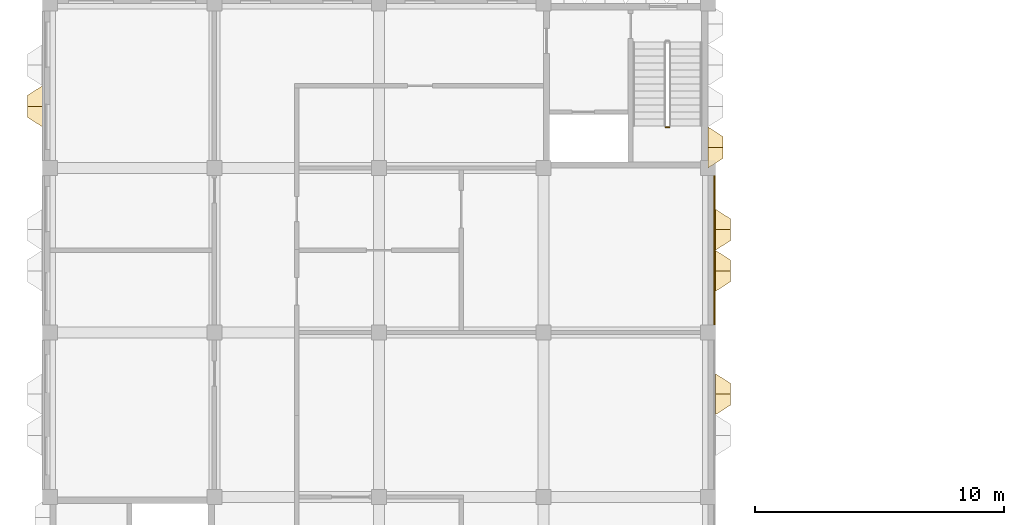
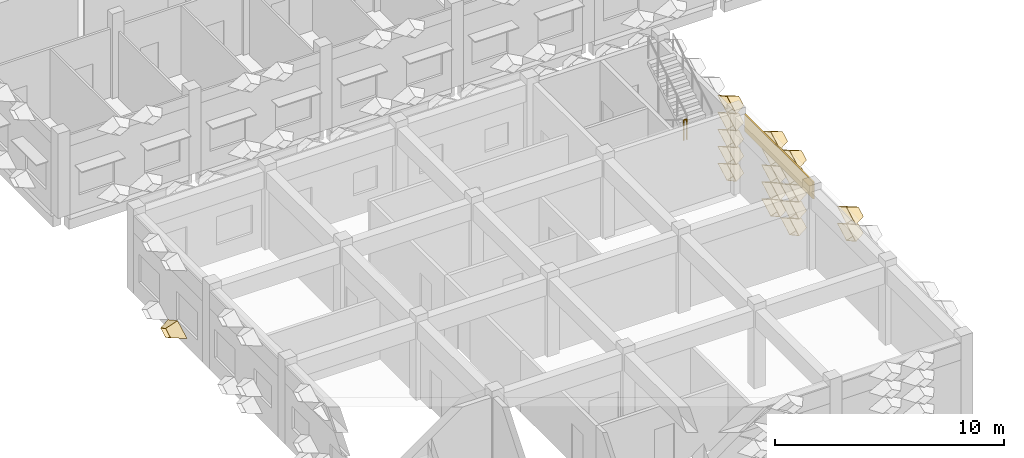
# One storey, part 67 of 87: 19 coverings, 1 railing.
"""IFC4 building model written with IfcOpenShell, lengths in metres."""

from ifc_helpers import new_model, entity, si_unit, direction, frame, frame_2d, origin, origin_2d, place, context, subcontext, project, spatial, rectangle, circle, extrude, material, layer, layer_set, type_object, element, save


model = new_model("IFC4")

# Units and contexts
model_context = context("Model", 3, precision=1e-05, world=origin(), true_north=direction((0.0, 1.0)))
body_context = subcontext(model_context, "Body", "Model", "MODEL_VIEW")
ifc_project = project(units=[si_unit("LENGTHUNIT", "METRE"), si_unit("AREAUNIT", "SQUARE_METRE"), si_unit("VOLUMEUNIT", "CUBIC_METRE"), si_unit("PLANEANGLEUNIT", "RADIAN"), si_unit("MASSUNIT", "GRAM", prefix="KILO")], contexts=[model_context])

# Site, building, storey
site_placement = place(None, origin())
site = spatial("IfcSite", under=ifc_project, at=site_placement, CompositionType="ELEMENT")
building_placement = place(site_placement, origin())
building = spatial("IfcBuilding", under=site, at=building_placement, Name="Lantern Court Research Institute", CompositionType="ELEMENT")
storey_placement = place(building_placement, frame((0.0, 0.0, 5.39990234375)))
storey = spatial("IfcBuildingStorey", under=building, at=storey_placement, Name="L01", CompositionType="ELEMENT", Elevation=5.39990234375)

# Coverings
ifc_material_1 = material(Name="Aluminium composite panel with mineral wool insulation", Category="aluminium")
ifc_layer_1 = layer(ifc_material_1, 0.074951171875)
ifc_layer_set_1 = layer_set([ifc_layer_1], Name="Aluminium composite panel with mineral wool insulation")
covering_type_1 = type_object("IfcCoveringType", Name="Edge fascia panel 75 aluminium faced", PredefinedType="CLADDING", material=ifc_layer_set_1)
covering_1_placement = place(storey_placement, frame((26.66259765625, 69.0, 3.25), z_axis=(0.0, 0.0, 1.0), x_axis=(0.0, -1.0, 0.0)))
element("IfcCovering", 1, at=covering_1_placement, inside=storey, type_object=covering_type_1, Name="Edge fascia V3E L01 03", PredefinedType="CLADDING", context=body_context, shape_type="SweptSolid", body=[
    extrude(rectangle(XDim=6.0, YDim=0.074951171875, at=frame_2d((3.0, 0.0))), origin(), (0.0, 0.0, 1.0), 0.900146484375),
])
ifc_material_2 = material(Name="Anodised aluminium", Category="aluminium")
ifc_layer_2 = layer(ifc_material_2, 0.01611328125)
ifc_layer_set_2 = layer_set([ifc_layer_2], Name="Anodised aluminium")
covering_type_2 = type_object("IfcCoveringType", Name="Fin cassette 1650 x 900 x 600 aluminium", PredefinedType="CLADDING", material=ifc_layer_set_2)
covering_2_placement = place(storey_placement, frame((26.39990234375, 70.125, 0.4501953125), z_axis=(1.0, 0.0, 0.0), x_axis=(0.0, 1.0, 0.0)))
cartesian_point_1 = entity("IfcCartesianPoint", [0.824951171875, 0.0])
cartesian_point_2 = entity("IfcCartesianPoint", [0.79150390625, 0.0])
cartesian_point_3 = entity("IfcCartesianPoint", [0.44189453125, 0.0])
cartesian_point_4 = entity("IfcCartesianPoint", [0.43359375, 0.0])
element("IfcCovering", 2, at=covering_2_placement, inside=storey, type_object=covering_type_2, Name="Fin cassette V3E-L01 1.43", PredefinedType="CLADDING", context=body_context, shape_type="SweptSolid", body=[
    entity("IfcExtrudedAreaSolidTapered", entity("IfcArbitraryProfileDefWithVoids", "AREA", None, entity("IfcPolyline", [cartesian_point_1, entity("IfcCartesianPoint", [0.0, 0.449951171875]), entity("IfcCartesianPoint", [-0.824951171875, 0.0]), entity("IfcCartesianPoint", [0.0, -0.449951171875]), cartesian_point_1]), [entity("IfcPolyline", [cartesian_point_2, entity("IfcCartesianPoint", [0.0, 0.431884765625]), entity("IfcCartesianPoint", [-0.79150390625, 0.0]), entity("IfcCartesianPoint", [0.0, -0.431884765625]), cartesian_point_2])]), entity("IfcAxis2Placement3D", entity("IfcCartesianPoint", [0.0, 0.0, 0.0])), entity("IfcDirection", [0.0, 0.0, 1.0]), 0.60009765625, entity("IfcArbitraryProfileDefWithVoids", "AREA", None, entity("IfcPolyline", [cartesian_point_3, entity("IfcCartesianPoint", [0.0, 0.240966796875]), entity("IfcCartesianPoint", [-0.44189453125, 0.0]), entity("IfcCartesianPoint", [0.0, -0.240966796875]), cartesian_point_3]), [entity("IfcPolyline", [cartesian_point_4, entity("IfcCartesianPoint", [0.0, 0.236572265625]), entity("IfcCartesianPoint", [-0.43359375, 0.0]), entity("IfcCartesianPoint", [0.0, -0.236572265625]), cartesian_point_4])])),
])
covering_3_placement = place(storey_placement, frame((26.39990234375, 70.125, 1.35009765625), z_axis=(1.0, 0.0, 0.0), x_axis=(0.0, 1.0, 0.0)))
cartesian_point_5 = entity("IfcCartesianPoint", [0.824951171875, 0.0])
cartesian_point_6 = entity("IfcCartesianPoint", [0.79150390625, 0.0])
cartesian_point_7 = entity("IfcCartesianPoint", [0.44189453125, 0.0])
cartesian_point_8 = entity("IfcCartesianPoint", [0.43359375, 0.0])
element("IfcCovering", 3, at=covering_3_placement, inside=storey, type_object=covering_type_2, Name="Fin cassette V3E-L01 2.43", PredefinedType="CLADDING", context=body_context, shape_type="SweptSolid", body=[
    entity("IfcExtrudedAreaSolidTapered", entity("IfcArbitraryProfileDefWithVoids", "AREA", None, entity("IfcPolyline", [cartesian_point_5, entity("IfcCartesianPoint", [0.0, 0.449951171875]), entity("IfcCartesianPoint", [-0.824951171875, 0.0]), entity("IfcCartesianPoint", [0.0, -0.449951171875]), cartesian_point_5]), [entity("IfcPolyline", [cartesian_point_6, entity("IfcCartesianPoint", [0.0, 0.431884765625]), entity("IfcCartesianPoint", [-0.79150390625, 0.0]), entity("IfcCartesianPoint", [0.0, -0.431884765625]), cartesian_point_6])]), entity("IfcAxis2Placement3D", entity("IfcCartesianPoint", [0.0, 0.0, 0.0])), entity("IfcDirection", [0.0, 0.0, 1.0]), 0.60009765625, entity("IfcArbitraryProfileDefWithVoids", "AREA", None, entity("IfcPolyline", [cartesian_point_7, entity("IfcCartesianPoint", [0.0, 0.240966796875]), entity("IfcCartesianPoint", [-0.44189453125, 0.0]), entity("IfcCartesianPoint", [0.0, -0.240966796875]), cartesian_point_7]), [entity("IfcPolyline", [cartesian_point_8, entity("IfcCartesianPoint", [0.0, 0.236572265625]), entity("IfcCartesianPoint", [-0.43359375, 0.0]), entity("IfcCartesianPoint", [0.0, -0.236572265625]), cartesian_point_8])])),
])
covering_4_placement = place(storey_placement, frame((26.39990234375, 70.125, 2.25), z_axis=(1.0, 0.0, 0.0), x_axis=(0.0, 1.0, 0.0)))
cartesian_point_9 = entity("IfcCartesianPoint", [0.824951171875, 0.0])
cartesian_point_10 = entity("IfcCartesianPoint", [0.79150390625, 0.0])
cartesian_point_11 = entity("IfcCartesianPoint", [0.44189453125, 0.0])
cartesian_point_12 = entity("IfcCartesianPoint", [0.43359375, 0.0])
element("IfcCovering", 4, at=covering_4_placement, inside=storey, type_object=covering_type_2, Name="Fin cassette V3E-L01 3.43", PredefinedType="CLADDING", context=body_context, shape_type="SweptSolid", body=[
    entity("IfcExtrudedAreaSolidTapered", entity("IfcArbitraryProfileDefWithVoids", "AREA", None, entity("IfcPolyline", [cartesian_point_9, entity("IfcCartesianPoint", [0.0, 0.449951171875]), entity("IfcCartesianPoint", [-0.824951171875, 0.0]), entity("IfcCartesianPoint", [0.0, -0.449951171875]), cartesian_point_9]), [entity("IfcPolyline", [cartesian_point_10, entity("IfcCartesianPoint", [0.0, 0.431884765625]), entity("IfcCartesianPoint", [-0.79150390625, 0.0]), entity("IfcCartesianPoint", [0.0, -0.431884765625]), cartesian_point_10])]), entity("IfcAxis2Placement3D", entity("IfcCartesianPoint", [0.0, 0.0, 0.0])), entity("IfcDirection", [0.0, 0.0, 1.0]), 0.60009765625, entity("IfcArbitraryProfileDefWithVoids", "AREA", None, entity("IfcPolyline", [cartesian_point_11, entity("IfcCartesianPoint", [0.0, 0.240966796875]), entity("IfcCartesianPoint", [-0.44189453125, 0.0]), entity("IfcCartesianPoint", [0.0, -0.240966796875]), cartesian_point_11]), [entity("IfcPolyline", [cartesian_point_12, entity("IfcCartesianPoint", [0.0, 0.236572265625]), entity("IfcCartesianPoint", [-0.43359375, 0.0]), entity("IfcCartesianPoint", [0.0, -0.236572265625]), cartesian_point_12])])),
])
covering_5_placement = place(storey_placement, frame((26.39990234375, 70.125, 3.150146484375), z_axis=(1.0, 0.0, 0.0), x_axis=(0.0, 1.0, 0.0)))
cartesian_point_13 = entity("IfcCartesianPoint", [0.824951171875, 0.0])
cartesian_point_14 = entity("IfcCartesianPoint", [0.79150390625, 0.0])
cartesian_point_15 = entity("IfcCartesianPoint", [0.44189453125, 0.0])
cartesian_point_16 = entity("IfcCartesianPoint", [0.43359375, 0.0])
element("IfcCovering", 5, at=covering_5_placement, inside=storey, type_object=covering_type_2, Name="Fin cassette V3E-L01 4.43", PredefinedType="CLADDING", context=body_context, shape_type="SweptSolid", body=[
    entity("IfcExtrudedAreaSolidTapered", entity("IfcArbitraryProfileDefWithVoids", "AREA", None, entity("IfcPolyline", [cartesian_point_13, entity("IfcCartesianPoint", [0.0, 0.449951171875]), entity("IfcCartesianPoint", [-0.824951171875, 0.0]), entity("IfcCartesianPoint", [0.0, -0.449951171875]), cartesian_point_13]), [entity("IfcPolyline", [cartesian_point_14, entity("IfcCartesianPoint", [0.0, 0.431884765625]), entity("IfcCartesianPoint", [-0.79150390625, 0.0]), entity("IfcCartesianPoint", [0.0, -0.431884765625]), cartesian_point_14])]), entity("IfcAxis2Placement3D", entity("IfcCartesianPoint", [0.0, 0.0, 0.0])), entity("IfcDirection", [0.0, 0.0, 1.0]), 0.60009765625, entity("IfcArbitraryProfileDefWithVoids", "AREA", None, entity("IfcPolyline", [cartesian_point_15, entity("IfcCartesianPoint", [0.0, 0.240966796875]), entity("IfcCartesianPoint", [-0.44189453125, 0.0]), entity("IfcCartesianPoint", [0.0, -0.240966796875]), cartesian_point_15]), [entity("IfcPolyline", [cartesian_point_16, entity("IfcCartesianPoint", [0.0, 0.236572265625]), entity("IfcCartesianPoint", [-0.43359375, 0.0]), entity("IfcCartesianPoint", [0.0, -0.236572265625]), cartesian_point_16])])),
])
covering_6_placement = place(storey_placement, frame((26.39990234375, 70.125, 4.050048828125), z_axis=(1.0, 0.0, 0.0), x_axis=(0.0, 1.0, 0.0)))
cartesian_point_17 = entity("IfcCartesianPoint", [0.824951171875, 0.0])
cartesian_point_18 = entity("IfcCartesianPoint", [0.79150390625, 0.0])
cartesian_point_19 = entity("IfcCartesianPoint", [0.44189453125, 0.0])
cartesian_point_20 = entity("IfcCartesianPoint", [0.43359375, 0.0])
element("IfcCovering", 6, at=covering_6_placement, inside=storey, type_object=covering_type_2, Name="Fin cassette V3E-L01 5.43", PredefinedType="CLADDING", context=body_context, shape_type="SweptSolid", body=[
    entity("IfcExtrudedAreaSolidTapered", entity("IfcArbitraryProfileDefWithVoids", "AREA", None, entity("IfcPolyline", [cartesian_point_17, entity("IfcCartesianPoint", [0.0, 0.449951171875]), entity("IfcCartesianPoint", [-0.824951171875, 0.0]), entity("IfcCartesianPoint", [0.0, -0.449951171875]), cartesian_point_17]), [entity("IfcPolyline", [cartesian_point_18, entity("IfcCartesianPoint", [0.0, 0.431884765625]), entity("IfcCartesianPoint", [-0.79150390625, 0.0]), entity("IfcCartesianPoint", [0.0, -0.431884765625]), cartesian_point_18])]), entity("IfcAxis2Placement3D", entity("IfcCartesianPoint", [0.0, 0.0, 0.0])), entity("IfcDirection", [0.0, 0.0, 1.0]), 0.60009765625, entity("IfcArbitraryProfileDefWithVoids", "AREA", None, entity("IfcPolyline", [cartesian_point_19, entity("IfcCartesianPoint", [0.0, 0.240966796875]), entity("IfcCartesianPoint", [-0.44189453125, 0.0]), entity("IfcCartesianPoint", [0.0, -0.240966796875]), cartesian_point_19]), [entity("IfcPolyline", [cartesian_point_20, entity("IfcCartesianPoint", [0.0, 0.236572265625]), entity("IfcCartesianPoint", [-0.43359375, 0.0]), entity("IfcCartesianPoint", [0.0, -0.236572265625]), cartesian_point_20])])),
])
covering_7_placement = place(storey_placement, frame((26.699951171875, 65.175048828125, 0.4501953125), z_axis=(1.0, 0.0, 0.0), x_axis=(0.0, 1.0, 0.0)))
cartesian_point_21 = entity("IfcCartesianPoint", [0.824951171875, 0.0])
cartesian_point_22 = entity("IfcCartesianPoint", [0.79150390625, 0.0])
cartesian_point_23 = entity("IfcCartesianPoint", [0.44189453125, 0.0])
cartesian_point_24 = entity("IfcCartesianPoint", [0.43359375, 0.0])
element("IfcCovering", 7, at=covering_7_placement, inside=storey, type_object=covering_type_2, Name="Fin cassette V3E-L01 1.40", PredefinedType="CLADDING", context=body_context, shape_type="SweptSolid", body=[
    entity("IfcExtrudedAreaSolidTapered", entity("IfcArbitraryProfileDefWithVoids", "AREA", None, entity("IfcPolyline", [cartesian_point_21, entity("IfcCartesianPoint", [0.0, 0.449951171875]), entity("IfcCartesianPoint", [-0.824951171875, 0.0]), entity("IfcCartesianPoint", [0.0, -0.449951171875]), cartesian_point_21]), [entity("IfcPolyline", [cartesian_point_22, entity("IfcCartesianPoint", [0.0, 0.431884765625]), entity("IfcCartesianPoint", [-0.79150390625, 0.0]), entity("IfcCartesianPoint", [0.0, -0.431884765625]), cartesian_point_22])]), entity("IfcAxis2Placement3D", entity("IfcCartesianPoint", [0.0, 0.0, 0.0])), entity("IfcDirection", [0.0, 0.0, 1.0]), 0.60009765625, entity("IfcArbitraryProfileDefWithVoids", "AREA", None, entity("IfcPolyline", [cartesian_point_23, entity("IfcCartesianPoint", [0.0, 0.240966796875]), entity("IfcCartesianPoint", [-0.44189453125, 0.0]), entity("IfcCartesianPoint", [0.0, -0.240966796875]), cartesian_point_23]), [entity("IfcPolyline", [cartesian_point_24, entity("IfcCartesianPoint", [0.0, 0.236572265625]), entity("IfcCartesianPoint", [-0.43359375, 0.0]), entity("IfcCartesianPoint", [0.0, -0.236572265625]), cartesian_point_24])])),
])
covering_8_placement = place(storey_placement, frame((26.699951171875, 66.824951171875, 0.4501953125), z_axis=(1.0, 0.0, 0.0), x_axis=(0.0, 1.0, 0.0)))
cartesian_point_25 = entity("IfcCartesianPoint", [0.824951171875, 0.0])
cartesian_point_26 = entity("IfcCartesianPoint", [0.79150390625, 0.0])
cartesian_point_27 = entity("IfcCartesianPoint", [0.44189453125, 0.0])
cartesian_point_28 = entity("IfcCartesianPoint", [0.43359375, 0.0])
element("IfcCovering", 8, at=covering_8_placement, inside=storey, type_object=covering_type_2, Name="Fin cassette V3E-L01 1.41", PredefinedType="CLADDING", context=body_context, shape_type="SweptSolid", body=[
    entity("IfcExtrudedAreaSolidTapered", entity("IfcArbitraryProfileDefWithVoids", "AREA", None, entity("IfcPolyline", [cartesian_point_25, entity("IfcCartesianPoint", [0.0, 0.449951171875]), entity("IfcCartesianPoint", [-0.824951171875, 0.0]), entity("IfcCartesianPoint", [0.0, -0.449951171875]), cartesian_point_25]), [entity("IfcPolyline", [cartesian_point_26, entity("IfcCartesianPoint", [0.0, 0.431884765625]), entity("IfcCartesianPoint", [-0.79150390625, 0.0]), entity("IfcCartesianPoint", [0.0, -0.431884765625]), cartesian_point_26])]), entity("IfcAxis2Placement3D", entity("IfcCartesianPoint", [0.0, 0.0, 0.0])), entity("IfcDirection", [0.0, 0.0, 1.0]), 0.60009765625, entity("IfcArbitraryProfileDefWithVoids", "AREA", None, entity("IfcPolyline", [cartesian_point_27, entity("IfcCartesianPoint", [0.0, 0.240966796875]), entity("IfcCartesianPoint", [-0.44189453125, 0.0]), entity("IfcCartesianPoint", [0.0, -0.240966796875]), cartesian_point_27]), [entity("IfcPolyline", [cartesian_point_28, entity("IfcCartesianPoint", [0.0, 0.236572265625]), entity("IfcCartesianPoint", [-0.43359375, 0.0]), entity("IfcCartesianPoint", [0.0, -0.236572265625]), cartesian_point_28])])),
])
covering_9_placement = place(storey_placement, frame((26.699951171875, 65.175048828125, 1.35009765625), z_axis=(1.0, 0.0, 0.0), x_axis=(0.0, 1.0, 0.0)))
cartesian_point_29 = entity("IfcCartesianPoint", [0.824951171875, 0.0])
cartesian_point_30 = entity("IfcCartesianPoint", [0.79150390625, 0.0])
cartesian_point_31 = entity("IfcCartesianPoint", [0.44189453125, 0.0])
cartesian_point_32 = entity("IfcCartesianPoint", [0.43359375, 0.0])
element("IfcCovering", 9, at=covering_9_placement, inside=storey, type_object=covering_type_2, Name="Fin cassette V3E-L01 2.40", PredefinedType="CLADDING", context=body_context, shape_type="SweptSolid", body=[
    entity("IfcExtrudedAreaSolidTapered", entity("IfcArbitraryProfileDefWithVoids", "AREA", None, entity("IfcPolyline", [cartesian_point_29, entity("IfcCartesianPoint", [0.0, 0.449951171875]), entity("IfcCartesianPoint", [-0.824951171875, 0.0]), entity("IfcCartesianPoint", [0.0, -0.449951171875]), cartesian_point_29]), [entity("IfcPolyline", [cartesian_point_30, entity("IfcCartesianPoint", [0.0, 0.431884765625]), entity("IfcCartesianPoint", [-0.79150390625, 0.0]), entity("IfcCartesianPoint", [0.0, -0.431884765625]), cartesian_point_30])]), entity("IfcAxis2Placement3D", entity("IfcCartesianPoint", [0.0, 0.0, 0.0])), entity("IfcDirection", [0.0, 0.0, 1.0]), 0.60009765625, entity("IfcArbitraryProfileDefWithVoids", "AREA", None, entity("IfcPolyline", [cartesian_point_31, entity("IfcCartesianPoint", [0.0, 0.240966796875]), entity("IfcCartesianPoint", [-0.44189453125, 0.0]), entity("IfcCartesianPoint", [0.0, -0.240966796875]), cartesian_point_31]), [entity("IfcPolyline", [cartesian_point_32, entity("IfcCartesianPoint", [0.0, 0.236572265625]), entity("IfcCartesianPoint", [-0.43359375, 0.0]), entity("IfcCartesianPoint", [0.0, -0.236572265625]), cartesian_point_32])])),
])
covering_10_placement = place(storey_placement, frame((26.699951171875, 66.824951171875, 1.35009765625), z_axis=(1.0, 0.0, 0.0), x_axis=(0.0, 1.0, 0.0)))
cartesian_point_33 = entity("IfcCartesianPoint", [0.824951171875, 0.0])
cartesian_point_34 = entity("IfcCartesianPoint", [0.79150390625, 0.0])
cartesian_point_35 = entity("IfcCartesianPoint", [0.44189453125, 0.0])
cartesian_point_36 = entity("IfcCartesianPoint", [0.43359375, 0.0])
element("IfcCovering", 10, at=covering_10_placement, inside=storey, type_object=covering_type_2, Name="Fin cassette V3E-L01 2.41", PredefinedType="CLADDING", context=body_context, shape_type="SweptSolid", body=[
    entity("IfcExtrudedAreaSolidTapered", entity("IfcArbitraryProfileDefWithVoids", "AREA", None, entity("IfcPolyline", [cartesian_point_33, entity("IfcCartesianPoint", [0.0, 0.449951171875]), entity("IfcCartesianPoint", [-0.824951171875, 0.0]), entity("IfcCartesianPoint", [0.0, -0.449951171875]), cartesian_point_33]), [entity("IfcPolyline", [cartesian_point_34, entity("IfcCartesianPoint", [0.0, 0.431884765625]), entity("IfcCartesianPoint", [-0.79150390625, 0.0]), entity("IfcCartesianPoint", [0.0, -0.431884765625]), cartesian_point_34])]), entity("IfcAxis2Placement3D", entity("IfcCartesianPoint", [0.0, 0.0, 0.0])), entity("IfcDirection", [0.0, 0.0, 1.0]), 0.60009765625, entity("IfcArbitraryProfileDefWithVoids", "AREA", None, entity("IfcPolyline", [cartesian_point_35, entity("IfcCartesianPoint", [0.0, 0.240966796875]), entity("IfcCartesianPoint", [-0.44189453125, 0.0]), entity("IfcCartesianPoint", [0.0, -0.240966796875]), cartesian_point_35]), [entity("IfcPolyline", [cartesian_point_36, entity("IfcCartesianPoint", [0.0, 0.236572265625]), entity("IfcCartesianPoint", [-0.43359375, 0.0]), entity("IfcCartesianPoint", [0.0, -0.236572265625]), cartesian_point_36])])),
])
covering_11_placement = place(storey_placement, frame((26.699951171875, 65.175048828125, 2.25), z_axis=(1.0, 0.0, 0.0), x_axis=(0.0, 1.0, 0.0)))
cartesian_point_37 = entity("IfcCartesianPoint", [0.824951171875, 0.0])
cartesian_point_38 = entity("IfcCartesianPoint", [0.79150390625, 0.0])
cartesian_point_39 = entity("IfcCartesianPoint", [0.44189453125, 0.0])
cartesian_point_40 = entity("IfcCartesianPoint", [0.43359375, 0.0])
element("IfcCovering", 11, at=covering_11_placement, inside=storey, type_object=covering_type_2, Name="Fin cassette V3E-L01 3.40", PredefinedType="CLADDING", context=body_context, shape_type="SweptSolid", body=[
    entity("IfcExtrudedAreaSolidTapered", entity("IfcArbitraryProfileDefWithVoids", "AREA", None, entity("IfcPolyline", [cartesian_point_37, entity("IfcCartesianPoint", [0.0, 0.449951171875]), entity("IfcCartesianPoint", [-0.824951171875, 0.0]), entity("IfcCartesianPoint", [0.0, -0.449951171875]), cartesian_point_37]), [entity("IfcPolyline", [cartesian_point_38, entity("IfcCartesianPoint", [0.0, 0.431884765625]), entity("IfcCartesianPoint", [-0.79150390625, 0.0]), entity("IfcCartesianPoint", [0.0, -0.431884765625]), cartesian_point_38])]), entity("IfcAxis2Placement3D", entity("IfcCartesianPoint", [0.0, 0.0, 0.0])), entity("IfcDirection", [0.0, 0.0, 1.0]), 0.60009765625, entity("IfcArbitraryProfileDefWithVoids", "AREA", None, entity("IfcPolyline", [cartesian_point_39, entity("IfcCartesianPoint", [0.0, 0.240966796875]), entity("IfcCartesianPoint", [-0.44189453125, 0.0]), entity("IfcCartesianPoint", [0.0, -0.240966796875]), cartesian_point_39]), [entity("IfcPolyline", [cartesian_point_40, entity("IfcCartesianPoint", [0.0, 0.236572265625]), entity("IfcCartesianPoint", [-0.43359375, 0.0]), entity("IfcCartesianPoint", [0.0, -0.236572265625]), cartesian_point_40])])),
])
covering_12_placement = place(storey_placement, frame((26.699951171875, 66.824951171875, 2.25), z_axis=(1.0, 0.0, 0.0), x_axis=(0.0, 1.0, 0.0)))
cartesian_point_41 = entity("IfcCartesianPoint", [0.824951171875, 0.0])
cartesian_point_42 = entity("IfcCartesianPoint", [0.79150390625, 0.0])
cartesian_point_43 = entity("IfcCartesianPoint", [0.44189453125, 0.0])
cartesian_point_44 = entity("IfcCartesianPoint", [0.43359375, 0.0])
element("IfcCovering", 12, at=covering_12_placement, inside=storey, type_object=covering_type_2, Name="Fin cassette V3E-L01 3.41", PredefinedType="CLADDING", context=body_context, shape_type="SweptSolid", body=[
    entity("IfcExtrudedAreaSolidTapered", entity("IfcArbitraryProfileDefWithVoids", "AREA", None, entity("IfcPolyline", [cartesian_point_41, entity("IfcCartesianPoint", [0.0, 0.449951171875]), entity("IfcCartesianPoint", [-0.824951171875, 0.0]), entity("IfcCartesianPoint", [0.0, -0.449951171875]), cartesian_point_41]), [entity("IfcPolyline", [cartesian_point_42, entity("IfcCartesianPoint", [0.0, 0.431884765625]), entity("IfcCartesianPoint", [-0.79150390625, 0.0]), entity("IfcCartesianPoint", [0.0, -0.431884765625]), cartesian_point_42])]), entity("IfcAxis2Placement3D", entity("IfcCartesianPoint", [0.0, 0.0, 0.0])), entity("IfcDirection", [0.0, 0.0, 1.0]), 0.60009765625, entity("IfcArbitraryProfileDefWithVoids", "AREA", None, entity("IfcPolyline", [cartesian_point_43, entity("IfcCartesianPoint", [0.0, 0.240966796875]), entity("IfcCartesianPoint", [-0.44189453125, 0.0]), entity("IfcCartesianPoint", [0.0, -0.240966796875]), cartesian_point_43]), [entity("IfcPolyline", [cartesian_point_44, entity("IfcCartesianPoint", [0.0, 0.236572265625]), entity("IfcCartesianPoint", [-0.43359375, 0.0]), entity("IfcCartesianPoint", [0.0, -0.236572265625]), cartesian_point_44])])),
])
covering_13_placement = place(storey_placement, frame((26.699951171875, 60.22509765625, 3.150146484375), z_axis=(1.0, 0.0, 0.0), x_axis=(0.0, 1.0, 0.0)))
cartesian_point_45 = entity("IfcCartesianPoint", [0.824951171875, 0.0])
cartesian_point_46 = entity("IfcCartesianPoint", [0.79150390625, 0.0])
cartesian_point_47 = entity("IfcCartesianPoint", [0.44189453125, 0.0])
cartesian_point_48 = entity("IfcCartesianPoint", [0.43359375, 0.0])
element("IfcCovering", 13, at=covering_13_placement, inside=storey, type_object=covering_type_2, Name="Fin cassette V3E-L01 4.37", PredefinedType="CLADDING", context=body_context, shape_type="SweptSolid", body=[
    entity("IfcExtrudedAreaSolidTapered", entity("IfcArbitraryProfileDefWithVoids", "AREA", None, entity("IfcPolyline", [cartesian_point_45, entity("IfcCartesianPoint", [0.0, 0.449951171875]), entity("IfcCartesianPoint", [-0.824951171875, 0.0]), entity("IfcCartesianPoint", [0.0, -0.449951171875]), cartesian_point_45]), [entity("IfcPolyline", [cartesian_point_46, entity("IfcCartesianPoint", [0.0, 0.431884765625]), entity("IfcCartesianPoint", [-0.79150390625, 0.0]), entity("IfcCartesianPoint", [0.0, -0.431884765625]), cartesian_point_46])]), entity("IfcAxis2Placement3D", entity("IfcCartesianPoint", [0.0, 0.0, 0.0])), entity("IfcDirection", [0.0, 0.0, 1.0]), 0.60009765625, entity("IfcArbitraryProfileDefWithVoids", "AREA", None, entity("IfcPolyline", [cartesian_point_47, entity("IfcCartesianPoint", [0.0, 0.240966796875]), entity("IfcCartesianPoint", [-0.44189453125, 0.0]), entity("IfcCartesianPoint", [0.0, -0.240966796875]), cartesian_point_47]), [entity("IfcPolyline", [cartesian_point_48, entity("IfcCartesianPoint", [0.0, 0.236572265625]), entity("IfcCartesianPoint", [-0.43359375, 0.0]), entity("IfcCartesianPoint", [0.0, -0.236572265625]), cartesian_point_48])])),
])
covering_14_placement = place(storey_placement, frame((26.699951171875, 65.175048828125, 3.150146484375), z_axis=(1.0, 0.0, 0.0), x_axis=(0.0, 1.0, 0.0)))
cartesian_point_49 = entity("IfcCartesianPoint", [0.824951171875, 0.0])
cartesian_point_50 = entity("IfcCartesianPoint", [0.79150390625, 0.0])
cartesian_point_51 = entity("IfcCartesianPoint", [0.44189453125, 0.0])
cartesian_point_52 = entity("IfcCartesianPoint", [0.43359375, 0.0])
element("IfcCovering", 14, at=covering_14_placement, inside=storey, type_object=covering_type_2, Name="Fin cassette V3E-L01 4.40", PredefinedType="CLADDING", context=body_context, shape_type="SweptSolid", body=[
    entity("IfcExtrudedAreaSolidTapered", entity("IfcArbitraryProfileDefWithVoids", "AREA", None, entity("IfcPolyline", [cartesian_point_49, entity("IfcCartesianPoint", [0.0, 0.449951171875]), entity("IfcCartesianPoint", [-0.824951171875, 0.0]), entity("IfcCartesianPoint", [0.0, -0.449951171875]), cartesian_point_49]), [entity("IfcPolyline", [cartesian_point_50, entity("IfcCartesianPoint", [0.0, 0.431884765625]), entity("IfcCartesianPoint", [-0.79150390625, 0.0]), entity("IfcCartesianPoint", [0.0, -0.431884765625]), cartesian_point_50])]), entity("IfcAxis2Placement3D", entity("IfcCartesianPoint", [0.0, 0.0, 0.0])), entity("IfcDirection", [0.0, 0.0, 1.0]), 0.60009765625, entity("IfcArbitraryProfileDefWithVoids", "AREA", None, entity("IfcPolyline", [cartesian_point_51, entity("IfcCartesianPoint", [0.0, 0.240966796875]), entity("IfcCartesianPoint", [-0.44189453125, 0.0]), entity("IfcCartesianPoint", [0.0, -0.240966796875]), cartesian_point_51]), [entity("IfcPolyline", [cartesian_point_52, entity("IfcCartesianPoint", [0.0, 0.236572265625]), entity("IfcCartesianPoint", [-0.43359375, 0.0]), entity("IfcCartesianPoint", [0.0, -0.236572265625]), cartesian_point_52])])),
])
covering_15_placement = place(storey_placement, frame((26.699951171875, 66.824951171875, 3.150146484375), z_axis=(1.0, 0.0, 0.0), x_axis=(0.0, 1.0, 0.0)))
cartesian_point_53 = entity("IfcCartesianPoint", [0.824951171875, 0.0])
cartesian_point_54 = entity("IfcCartesianPoint", [0.79150390625, 0.0])
cartesian_point_55 = entity("IfcCartesianPoint", [0.44189453125, 0.0])
cartesian_point_56 = entity("IfcCartesianPoint", [0.43359375, 0.0])
element("IfcCovering", 15, at=covering_15_placement, inside=storey, type_object=covering_type_2, Name="Fin cassette V3E-L01 4.41", PredefinedType="CLADDING", context=body_context, shape_type="SweptSolid", body=[
    entity("IfcExtrudedAreaSolidTapered", entity("IfcArbitraryProfileDefWithVoids", "AREA", None, entity("IfcPolyline", [cartesian_point_53, entity("IfcCartesianPoint", [0.0, 0.449951171875]), entity("IfcCartesianPoint", [-0.824951171875, 0.0]), entity("IfcCartesianPoint", [0.0, -0.449951171875]), cartesian_point_53]), [entity("IfcPolyline", [cartesian_point_54, entity("IfcCartesianPoint", [0.0, 0.431884765625]), entity("IfcCartesianPoint", [-0.79150390625, 0.0]), entity("IfcCartesianPoint", [0.0, -0.431884765625]), cartesian_point_54])]), entity("IfcAxis2Placement3D", entity("IfcCartesianPoint", [0.0, 0.0, 0.0])), entity("IfcDirection", [0.0, 0.0, 1.0]), 0.60009765625, entity("IfcArbitraryProfileDefWithVoids", "AREA", None, entity("IfcPolyline", [cartesian_point_55, entity("IfcCartesianPoint", [0.0, 0.240966796875]), entity("IfcCartesianPoint", [-0.44189453125, 0.0]), entity("IfcCartesianPoint", [0.0, -0.240966796875]), cartesian_point_55]), [entity("IfcPolyline", [cartesian_point_56, entity("IfcCartesianPoint", [0.0, 0.236572265625]), entity("IfcCartesianPoint", [-0.43359375, 0.0]), entity("IfcCartesianPoint", [0.0, -0.236572265625]), cartesian_point_56])])),
])
covering_16_placement = place(storey_placement, frame((26.699951171875, 60.22509765625, 4.050048828125), z_axis=(1.0, 0.0, 0.0), x_axis=(0.0, 1.0, 0.0)))
cartesian_point_57 = entity("IfcCartesianPoint", [0.824951171875, 0.0])
cartesian_point_58 = entity("IfcCartesianPoint", [0.79150390625, 0.0])
cartesian_point_59 = entity("IfcCartesianPoint", [0.44189453125, 0.0])
cartesian_point_60 = entity("IfcCartesianPoint", [0.43359375, 0.0])
element("IfcCovering", 16, at=covering_16_placement, inside=storey, type_object=covering_type_2, Name="Fin cassette V3E-L01 5.37", PredefinedType="CLADDING", context=body_context, shape_type="SweptSolid", body=[
    entity("IfcExtrudedAreaSolidTapered", entity("IfcArbitraryProfileDefWithVoids", "AREA", None, entity("IfcPolyline", [cartesian_point_57, entity("IfcCartesianPoint", [0.0, 0.449951171875]), entity("IfcCartesianPoint", [-0.824951171875, 0.0]), entity("IfcCartesianPoint", [0.0, -0.449951171875]), cartesian_point_57]), [entity("IfcPolyline", [cartesian_point_58, entity("IfcCartesianPoint", [0.0, 0.431884765625]), entity("IfcCartesianPoint", [-0.79150390625, 0.0]), entity("IfcCartesianPoint", [0.0, -0.431884765625]), cartesian_point_58])]), entity("IfcAxis2Placement3D", entity("IfcCartesianPoint", [0.0, 0.0, 0.0])), entity("IfcDirection", [0.0, 0.0, 1.0]), 0.60009765625, entity("IfcArbitraryProfileDefWithVoids", "AREA", None, entity("IfcPolyline", [cartesian_point_59, entity("IfcCartesianPoint", [0.0, 0.240966796875]), entity("IfcCartesianPoint", [-0.44189453125, 0.0]), entity("IfcCartesianPoint", [0.0, -0.240966796875]), cartesian_point_59]), [entity("IfcPolyline", [cartesian_point_60, entity("IfcCartesianPoint", [0.0, 0.236572265625]), entity("IfcCartesianPoint", [-0.43359375, 0.0]), entity("IfcCartesianPoint", [0.0, -0.236572265625]), cartesian_point_60])])),
])
covering_17_placement = place(storey_placement, frame((26.699951171875, 65.175048828125, 4.050048828125), z_axis=(1.0, 0.0, 0.0), x_axis=(0.0, 1.0, 0.0)))
cartesian_point_61 = entity("IfcCartesianPoint", [0.824951171875, 0.0])
cartesian_point_62 = entity("IfcCartesianPoint", [0.79150390625, 0.0])
cartesian_point_63 = entity("IfcCartesianPoint", [0.44189453125, 0.0])
cartesian_point_64 = entity("IfcCartesianPoint", [0.43359375, 0.0])
element("IfcCovering", 17, at=covering_17_placement, inside=storey, type_object=covering_type_2, Name="Fin cassette V3E-L01 5.40", PredefinedType="CLADDING", context=body_context, shape_type="SweptSolid", body=[
    entity("IfcExtrudedAreaSolidTapered", entity("IfcArbitraryProfileDefWithVoids", "AREA", None, entity("IfcPolyline", [cartesian_point_61, entity("IfcCartesianPoint", [0.0, 0.449951171875]), entity("IfcCartesianPoint", [-0.824951171875, 0.0]), entity("IfcCartesianPoint", [0.0, -0.449951171875]), cartesian_point_61]), [entity("IfcPolyline", [cartesian_point_62, entity("IfcCartesianPoint", [0.0, 0.431884765625]), entity("IfcCartesianPoint", [-0.79150390625, 0.0]), entity("IfcCartesianPoint", [0.0, -0.431884765625]), cartesian_point_62])]), entity("IfcAxis2Placement3D", entity("IfcCartesianPoint", [0.0, 0.0, 0.0])), entity("IfcDirection", [0.0, 0.0, 1.0]), 0.60009765625, entity("IfcArbitraryProfileDefWithVoids", "AREA", None, entity("IfcPolyline", [cartesian_point_63, entity("IfcCartesianPoint", [0.0, 0.240966796875]), entity("IfcCartesianPoint", [-0.44189453125, 0.0]), entity("IfcCartesianPoint", [0.0, -0.240966796875]), cartesian_point_63]), [entity("IfcPolyline", [cartesian_point_64, entity("IfcCartesianPoint", [0.0, 0.236572265625]), entity("IfcCartesianPoint", [-0.43359375, 0.0]), entity("IfcCartesianPoint", [0.0, -0.236572265625]), cartesian_point_64])])),
])
covering_18_placement = place(storey_placement, frame((26.699951171875, 66.824951171875, 4.050048828125), z_axis=(1.0, 0.0, 0.0), x_axis=(0.0, 1.0, 0.0)))
cartesian_point_65 = entity("IfcCartesianPoint", [0.824951171875, 0.0])
cartesian_point_66 = entity("IfcCartesianPoint", [0.79150390625, 0.0])
cartesian_point_67 = entity("IfcCartesianPoint", [0.44189453125, 0.0])
cartesian_point_68 = entity("IfcCartesianPoint", [0.43359375, 0.0])
element("IfcCovering", 18, at=covering_18_placement, inside=storey, type_object=covering_type_2, Name="Fin cassette V3E-L01 5.41", PredefinedType="CLADDING", context=body_context, shape_type="SweptSolid", body=[
    entity("IfcExtrudedAreaSolidTapered", entity("IfcArbitraryProfileDefWithVoids", "AREA", None, entity("IfcPolyline", [cartesian_point_65, entity("IfcCartesianPoint", [0.0, 0.449951171875]), entity("IfcCartesianPoint", [-0.824951171875, 0.0]), entity("IfcCartesianPoint", [0.0, -0.449951171875]), cartesian_point_65]), [entity("IfcPolyline", [cartesian_point_66, entity("IfcCartesianPoint", [0.0, 0.431884765625]), entity("IfcCartesianPoint", [-0.79150390625, 0.0]), entity("IfcCartesianPoint", [0.0, -0.431884765625]), cartesian_point_66])]), entity("IfcAxis2Placement3D", entity("IfcCartesianPoint", [0.0, 0.0, 0.0])), entity("IfcDirection", [0.0, 0.0, 1.0]), 0.60009765625, entity("IfcArbitraryProfileDefWithVoids", "AREA", None, entity("IfcPolyline", [cartesian_point_67, entity("IfcCartesianPoint", [0.0, 0.240966796875]), entity("IfcCartesianPoint", [-0.44189453125, 0.0]), entity("IfcCartesianPoint", [0.0, -0.240966796875]), cartesian_point_67]), [entity("IfcPolyline", [cartesian_point_68, entity("IfcCartesianPoint", [0.0, 0.236572265625]), entity("IfcCartesianPoint", [-0.43359375, 0.0]), entity("IfcCartesianPoint", [0.0, -0.236572265625]), cartesian_point_68])])),
])
covering_19_placement = place(storey_placement, frame((-0.300048828125, 71.77490234375, 0.4501953125), z_axis=(-1.0, 0.0, 0.0), x_axis=(0.0, -1.0, 0.0)))
cartesian_point_69 = entity("IfcCartesianPoint", [0.824951171875, 0.0])
cartesian_point_70 = entity("IfcCartesianPoint", [0.79150390625, 0.0])
cartesian_point_71 = entity("IfcCartesianPoint", [0.44189453125, 0.0])
cartesian_point_72 = entity("IfcCartesianPoint", [0.43359375, 0.0])
element("IfcCovering", 19, at=covering_19_placement, inside=storey, type_object=covering_type_2, Name="Fin cassette V3W-L01 1.44", PredefinedType="CLADDING", context=body_context, shape_type="SweptSolid", body=[
    entity("IfcExtrudedAreaSolidTapered", entity("IfcArbitraryProfileDefWithVoids", "AREA", None, entity("IfcPolyline", [cartesian_point_69, entity("IfcCartesianPoint", [0.0, 0.449951171875]), entity("IfcCartesianPoint", [-0.824951171875, 0.0]), entity("IfcCartesianPoint", [0.0, -0.449951171875]), cartesian_point_69]), [entity("IfcPolyline", [cartesian_point_70, entity("IfcCartesianPoint", [0.0, 0.431884765625]), entity("IfcCartesianPoint", [-0.79150390625, 0.0]), entity("IfcCartesianPoint", [0.0, -0.431884765625]), cartesian_point_70])]), entity("IfcAxis2Placement3D", entity("IfcCartesianPoint", [0.0, 0.0, 0.0])), entity("IfcDirection", [0.0, 0.0, 1.0]), 0.60009765625, entity("IfcArbitraryProfileDefWithVoids", "AREA", None, entity("IfcPolyline", [cartesian_point_71, entity("IfcCartesianPoint", [0.0, 0.240966796875]), entity("IfcCartesianPoint", [-0.44189453125, 0.0]), entity("IfcCartesianPoint", [0.0, -0.240966796875]), cartesian_point_71]), [entity("IfcPolyline", [cartesian_point_72, entity("IfcCartesianPoint", [0.0, 0.236572265625]), entity("IfcCartesianPoint", [-0.43359375, 0.0]), entity("IfcCartesianPoint", [0.0, -0.236572265625]), cartesian_point_72])])),
])

# Railing
ifc_material_3 = material(Name="Structural steel S355", Category="steel")
railing_type = type_object("IfcRailingType", Name="Stair guard 1100 steel", PredefinedType="GUARDRAIL", material=ifc_material_3)
railing_placement = place(storey_placement, frame((24.699951171875, 70.93994140625, 2.25)))
element("IfcRailing", 20, at=railing_placement, inside=storey, type_object=railing_type, Name="L01 ST-C2 stair guard 2", PredefinedType="GUARDRAIL", context=body_context, shape_type="SweptSolid", body=[
    extrude(circle(Radius=0.02392578125, at=origin_2d()), frame((0.0, 0.0, 1.076171875), z_axis=(1.0, 0.0, 0.0), x_axis=(0.0, 1.0, 0.0)), (0.0, 0.0, 1.0), 0.150146484375),
    extrude(circle(Radius=0.02099609375, at=origin_2d()), origin(), (0.0, 0.0, 1.0), 1.052001953125),
    extrude(circle(Radius=0.02099609375, at=origin_2d()), frame((0.150146484375, 0.0, 0.0)), (0.0, 0.0, 1.0), 1.052001953125),
])

save(model, "model.ifc")
